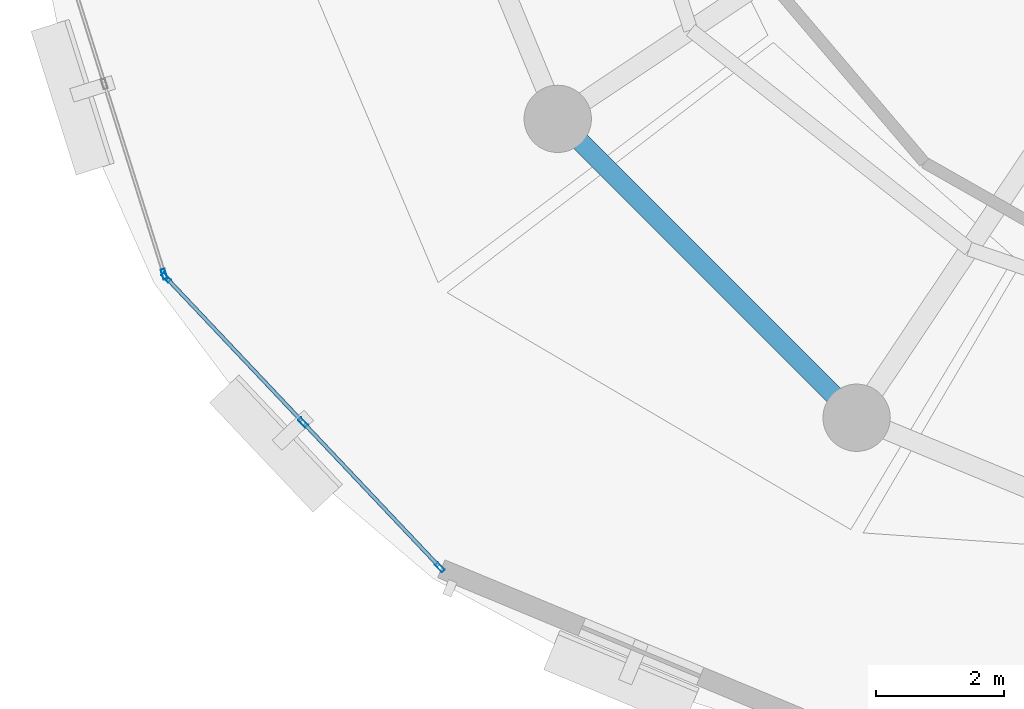
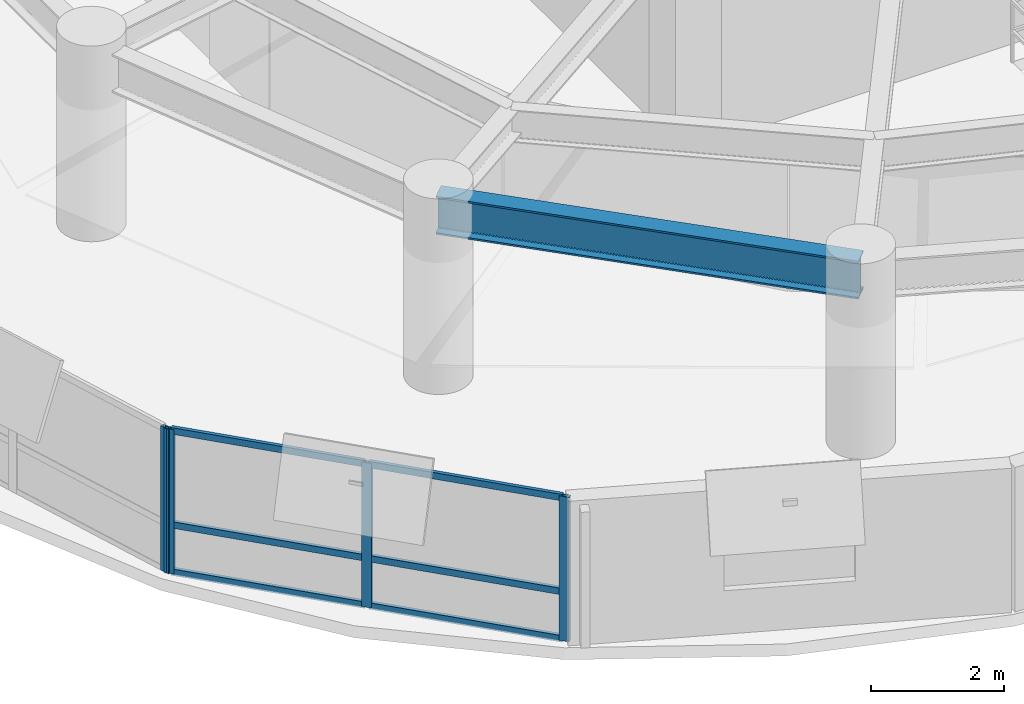
# One storey, part 2 of 14: 10 members, 1 beam, 2 elements without a shape of their own.
"""IFC4 building model written with IfcOpenShell, lengths in metres."""

import ifcopenshell
import ifcopenshell.guid

model = None  # the IFC model being written
_history = None  # IfcOwnerHistory: only IFC2X3 demands one
_inside = {}  # id of a spatial element -> (the spatial element, [elements in it])
_under = {}  # id of a project, library or spatial element -> (it, [spatial elements below it])
_declared = {}  # id of a project -> (the project, [libraries it declares])
_typed = {}  # id of a type object -> (the type object, [elements of that type])
_made_of = {}  # id of a material, layer set ... -> (it, [elements and type objects made of it])


def new_model(schema):
    """Start an empty IFC model of exactly this schema.

    Asked for "IFC4X3", IfcOpenShell would pick the latest addendum, in which some entities
    have other attributes; the version numbers below select the first issue.
    IFC2X3 requires an IfcOwnerHistory on every rooted entity: one is made here for all.
    """
    global model, _history
    if schema == "IFC4X3":
        model = ifcopenshell.file(schema_version=(4, 3, 0, 0))
    else:
        model = ifcopenshell.file(schema=schema)
    _inside.clear()
    _under.clear()
    _declared.clear()
    _typed.clear()
    _made_of.clear()
    _history = None
    if model.schema == "IFC2X3":
        org = make("IfcOrganization", Name="unknown")
        user = make(
            "IfcPersonAndOrganization",
            ThePerson=make("IfcPerson", FamilyName="unknown"),
            TheOrganization=org,
        )
        app = make(
            "IfcApplication",
            ApplicationDeveloper=org,
            Version="unknown",
            ApplicationFullName="unknown",
            ApplicationIdentifier="unknown",
        )
        _history = make(
            "IfcOwnerHistory",
            OwningUser=user,
            OwningApplication=app,
            ChangeAction="ADDED",
            CreationDate=0,
        )
    return model


def make(cls, **values):
    """One entity of the class cls with the attributes given. An attribute that is None is left unset."""
    return model.create_entity(
        cls, **{name: value for name, value in values.items() if value is not None}
    )


def rooted(cls, **values):
    """An entity with a GlobalId (a new one), such as an element, a storey or a relation."""
    return make(cls, GlobalId=ifcopenshell.guid.new(), OwnerHistory=_history, **values)


def si_unit(unit_type, name, prefix=None):
    """IfcSIUnit, for example si_unit("LENGTHUNIT", "METRE", prefix="MILLI")."""
    return make("IfcSIUnit", UnitType=unit_type, Prefix=prefix, Name=name)


def assignment(units):
    """IfcUnitAssignment: the units of a project."""
    return None if units is None else make("IfcUnitAssignment", Units=units)


def point(xyz):
    """IfcCartesianPoint."""
    return None if xyz is None else make("IfcCartesianPoint", Coordinates=xyz)


def direction(xyz):
    """IfcDirection."""
    return None if xyz is None else make("IfcDirection", DirectionRatios=xyz)


def frame(location, z_axis=None, x_axis=None):
    """IfcAxis2Placement3D, a coordinate frame: its origin and axes. An axis left out is left unset."""
    return make(
        "IfcAxis2Placement3D",
        Location=point(location),
        Axis=direction(z_axis),
        RefDirection=direction(x_axis),
    )


def frame_2d(location, x_axis=None):
    """IfcAxis2Placement2D, a coordinate frame in the plane: its origin and x axis."""
    return make(
        "IfcAxis2Placement2D", Location=point(location), RefDirection=direction(x_axis)
    )


def origin():
    """The frame at (0, 0, 0) with its axes left unset."""
    return frame((0.0, 0.0, 0.0))


def origin_2d():
    """The frame at (0, 0) in the plane with its x axis left unset."""
    return frame_2d((0.0, 0.0))


def place(relative_to, where):
    """IfcLocalPlacement: puts the frame where relative to a parent placement (None: the world)."""
    return make(
        "IfcLocalPlacement", PlacementRelTo=relative_to, RelativePlacement=where
    )


def context(
    kind, dimensions, precision=None, world=None, true_north=None, identifier=None
):
    """IfcGeometricRepresentationContext, for example the 3D "Model" context."""
    return make(
        "IfcGeometricRepresentationContext",
        ContextIdentifier=identifier,
        ContextType=kind,
        CoordinateSpaceDimension=dimensions,
        Precision=precision,
        WorldCoordinateSystem=world,
        TrueNorth=true_north,
    )


def subcontext(parent, identifier, kind, view, scale=None):
    """IfcGeometricRepresentationSubContext, for example "Body" below "Model"."""
    return make(
        "IfcGeometricRepresentationSubContext",
        ContextIdentifier=identifier,
        ContextType=kind,
        ParentContext=parent,
        TargetScale=scale,
        TargetView=view,
    )


def project(units=None, contexts=None):
    """IfcProject with its units and contexts."""
    return rooted(
        "IfcProject",
        Name="project",
        RepresentationContexts=contexts,
        UnitsInContext=assignment(units),
    )


def spatial(cls, under=None, at=None, **own):
    """A site, building, storey or space (cls), placed at a placement, below another one or the project."""
    s = rooted(cls, ObjectPlacement=at, **own)
    if under is not None:
        _under.setdefault(under.id(), (under, []))[1].append(s)
    return s


def profile(cls, at=None, kind="AREA", **sizes):
    """A parametric profile (cls). Its sizes go by their IFC names, for example OverallWidth=200.0."""
    return make(cls, ProfileType=kind, Position=at, **sizes)


def hollow_rectangle(**sizes):
    """IfcRectangleHollowProfileDef."""
    return profile("IfcRectangleHollowProfileDef", **sizes)


def i_section(**sizes):
    """IfcIShapeProfileDef."""
    return profile("IfcIShapeProfileDef", **sizes)


def extrude(swept, where, along, depth):
    """IfcExtrudedAreaSolid: the profile swept, set in the frame where, extruded along a direction by depth."""
    return make(
        "IfcExtrudedAreaSolid",
        SweptArea=swept,
        Position=where,
        ExtrudedDirection=direction(along),
        Depth=depth,
    )


def shape(context_of_items, identifier, shape_type, items):
    """IfcShapeRepresentation: the items that make up one representation, for example the "Body"."""
    return make(
        "IfcShapeRepresentation",
        ContextOfItems=context_of_items,
        RepresentationIdentifier=identifier,
        RepresentationType=shape_type,
        Items=items,
    )


def material(Name=None, Category=None):
    """IfcMaterial."""
    return make("IfcMaterial", Name=Name, Category=Category)


def layer(
    of_material, thickness, ventilated=None, Name=None, Category=None, Priority=None
):
    """IfcMaterialLayer: one layer of a wall or slab, of a material (None: an air gap)."""
    return make(
        "IfcMaterialLayer",
        Material=of_material,
        LayerThickness=thickness,
        IsVentilated=ventilated,
        Name=Name,
        Category=Category,
        Priority=Priority,
    )


def layer_set(layers, Name=None):
    """IfcMaterialLayerSet."""
    return make("IfcMaterialLayerSet", MaterialLayers=layers, LayerSetName=Name)


def material_profile(
    of_material, cross_section, Name=None, Category=None, Priority=None
):
    """IfcMaterialProfile: a cross section and its material."""
    return make(
        "IfcMaterialProfile",
        Name=Name,
        Material=of_material,
        Profile=cross_section,
        Priority=Priority,
        Category=Category,
    )


def profile_set(profiles, Name=None, composite=None):
    """IfcMaterialProfileSet."""
    return make(
        "IfcMaterialProfileSet",
        Name=Name,
        MaterialProfiles=profiles,
        CompositeProfile=composite,
    )


def made_of(thing, what):
    """Note that an element or type object is made of a material, layer set ...; save() writes the relation."""
    if what is not None:
        _made_of.setdefault(what.id(), (what, []))[1].append(thing)
    return thing


def type_object(cls, material=None, **own):
    """A type object (cls), such as IfcWallType, which elements share."""
    return made_of(rooted(cls, **own), material)


def element(
    cls,
    number,
    at=None,
    inside=None,
    cuts=None,
    type_object=None,
    material=None,
    context=None,
    identifier="Body",
    shape_type=None,
    held_by="IfcProductDefinitionShape",
    body=None,
    shapes=None,
    **own,
):
    """One element of the class cls, such as IfcWall. Its Tag is "e" and its number.

    at: its placement. inside: the storey or other place that contains it. cuts: it is an
    opening in that element (IfcRelVoidsElement). A single representation is given by context,
    identifier, shape_type and body (its items); several are given by shapes. held_by: the class
    of the entity that holds the representations. save() writes the other relations.
    """
    e = rooted(cls, Tag="e%d" % number, ObjectPlacement=at, **own)
    if body is not None:
        shapes = [shape(context, identifier, shape_type, body)]
    if shapes is not None:
        e.Representation = make(held_by, Representations=shapes)
    if inside is not None:
        _inside.setdefault(inside.id(), (inside, []))[1].append(e)
    if cuts is not None:
        rooted(
            "IfcRelVoidsElement", RelatingBuildingElement=cuts, RelatedOpeningElement=e
        )
    if type_object is not None:
        _typed.setdefault(type_object.id(), (type_object, []))[1].append(e)
    return made_of(e, material)


def aggregate(whole, parts):
    """IfcRelAggregates: a whole, such as a stair, and the parts it consists of."""
    return rooted("IfcRelAggregates", RelatingObject=whole, RelatedObjects=parts)


def save(model, path):
    """Write the relations noted so far, then the file.

    IfcRelAggregates (storeys below a building ...), IfcRelContainedInSpatialStructure (elements
    in a storey), IfcRelDefinesByType, IfcRelAssociatesMaterial and IfcRelDeclares: one each for
    every whole, place, type object, material and project.
    """
    for whole, parts in _under.values():
        aggregate(whole, parts)
    for where, things in _inside.values():
        rooted(
            "IfcRelContainedInSpatialStructure",
            RelatedElements=things,
            RelatingStructure=where,
        )
    for kind, things in _typed.values():
        rooted("IfcRelDefinesByType", RelatedObjects=things, RelatingType=kind)
    for what, things in _made_of.values():
        rooted("IfcRelAssociatesMaterial", RelatedObjects=things, RelatingMaterial=what)
    for by, libraries in _declared.values():
        rooted("IfcRelDeclares", RelatingContext=by, RelatedDefinitions=libraries)
    model.write(path)


model = new_model("IFC4")

# Units and contexts
model_context = context("Model", 3, precision=1e-05, world=origin(), true_north=direction((0.0, 1.0)))
body_context = subcontext(model_context, "Body", "Model", "MODEL_VIEW")
ifc_project = project(units=[si_unit("LENGTHUNIT", "METRE"), si_unit("AREAUNIT", "SQUARE_METRE"), si_unit("VOLUMEUNIT", "CUBIC_METRE"), si_unit("PLANEANGLEUNIT", "RADIAN"), si_unit("MASSUNIT", "GRAM", prefix="KILO"), si_unit("THERMODYNAMICTEMPERATUREUNIT", "KELVIN"), si_unit("POWERUNIT", "WATT")], contexts=[model_context])

# Site, building, storey
site_placement = place(None, origin())
site = spatial("IfcSite", under=ifc_project, at=site_placement, CompositionType="ELEMENT")
building_placement = place(site_placement, origin())
building = spatial("IfcBuilding", under=site, at=building_placement, Name="Ocrelia Relay Tower", CompositionType="ELEMENT")
storey_placement = place(building_placement, frame((0.0, 0.0, 162.800048828125)))
storey = spatial("IfcBuildingStorey", under=building, at=storey_placement, Name="L38", CompositionType="ELEMENT", Elevation=162.800048828125)

# Beam
ifc_material_1 = material(Name="Steel S355", Category="steel")
ifc_material_profile_1 = material_profile(ifc_material_1, i_section(OverallWidth=0.300048828125, OverallDepth=0.699951171875, WebThickness=0.01708984375, FlangeThickness=0.031982421875, FilletRadius=0.027099609375, at=origin_2d()), Name="HEB 700")
ifc_profile_set_1 = profile_set([ifc_material_profile_1], Name="Steel S355")
beam_type = type_object("IfcBeamType", Name="BM-HEB700", PredefinedType="BEAM", material=ifc_profile_set_1)
beam_placement = place(storey_placement, frame((19.9482421875, 16.61083984375, 3.030029296875), z_axis=(0.707106781187, -0.707106781187, 0.0), x_axis=(0.707106781187, 0.707106781187, 0.0)))
element("IfcBeam", 1, at=beam_placement, inside=storey, type_object=beam_type, Name="L38 Perimeter Spandrel Beam S10", PredefinedType="BEAM", context=body_context, shape_type="SweptSolid", body=[
    extrude(i_section(OverallWidth=0.300048828125, OverallDepth=0.699951171875, WebThickness=0.01708984375, FlangeThickness=0.031982421875, FilletRadius=0.027099609375, at=origin_2d()), origin(), (0.0, 0.0, 1.0), 6.593994140625),
])

# Curtain wall, member
ifc_material_2 = material(Name="Aluminium and solar-control low-E glass", Category="aluminium")
ifc_layer = layer(ifc_material_2, 0.179931640625, Name="Aluminium and solar-control low-E glass")
ifc_layer_set = layer_set([ifc_layer], Name="Aluminium and solar-control low-E glass")
curtain_wall_type = type_object("IfcCurtainWallType", Name="CW-SYS-Z3-CLOU", PredefinedType="NOTDEFINED", material=ifc_layer_set)
curtain_wall_1_placement = place(storey_placement, origin())
curtain_wall_1 = element("IfcCurtainWall", 2, at=curtain_wall_1_placement, inside=storey, type_object=curtain_wall_type, Name="L38 Elliptical Tower Curtain Wall Bay 09", PredefinedType="NOTDEFINED")
ifc_material_3 = material(Name="Anodised bronze aluminium", Category="aluminium")
ifc_material_profile_2 = material_profile(ifc_material_3, hollow_rectangle(XDim=0.06494140625, YDim=0.159912109375, WallThickness=0.0048828125, at=origin_2d()), Name="CW-MUL-160x65")
ifc_profile_set_2 = profile_set([ifc_material_profile_2], Name="Anodised bronze aluminium")
member_type_1 = type_object("IfcMemberType", Name="CW-SYS-Z3-CLOU-MUL", PredefinedType="MULLION", material=ifc_profile_set_2)
member_1_placement = place(storey_placement, frame((13.807373046875, 14.189697265625, 0.0), z_axis=(0.0, 0.0, 1.0), x_axis=(0.954135523059, 0.299375021731, 0.0)))
member_1 = element("IfcMember", 3, at=member_1_placement, type_object=member_type_1, Name="CW-Z3 mullion 3", PredefinedType="MULLION", context=body_context, shape_type="SweptSolid", body=[
    extrude(hollow_rectangle(XDim=0.06494140625, YDim=0.159912109375, WallThickness=0.0048828125, at=origin_2d()), origin(), (0.0, 0.0, 1.0), 2.659912109375),
])
aggregate(curtain_wall_1, [member_1])

# Curtain wall, members
curtain_wall_2_placement = place(storey_placement, origin())
curtain_wall_2 = element("IfcCurtainWall", 4, at=curtain_wall_2_placement, inside=storey, type_object=curtain_wall_type, Name="L38 Elliptical Tower Curtain Wall Bay 10", PredefinedType="NOTDEFINED")
member_2_placement = place(storey_placement, frame((13.839599609375, 14.13525390625, 0.0), z_axis=(0.0, 0.0, 1.0), x_axis=(0.726807863727, 0.686840832526, 0.0)))
member_2 = element("IfcMember", 5, at=member_2_placement, type_object=member_type_1, Name="CW-Z3 mullion 1", PredefinedType="MULLION", context=body_context, shape_type="SweptSolid", body=[
    extrude(hollow_rectangle(XDim=0.06494140625, YDim=0.159912109375, WallThickness=0.0048828125, at=origin_2d()), origin(), (0.0, 0.0, 1.0), 2.659912109375),
])
member_3_placement = place(storey_placement, frame((15.974853515625, 11.875732421875, 0.0), z_axis=(0.0, 0.0, 1.0), x_axis=(0.726807863727, 0.686840832526, 0.0)))
member_3 = element("IfcMember", 6, at=member_3_placement, type_object=member_type_1, Name="CW-Z3 mullion 2", PredefinedType="MULLION", context=body_context, shape_type="SweptSolid", body=[
    extrude(hollow_rectangle(XDim=0.06494140625, YDim=0.159912109375, WallThickness=0.0048828125, at=origin_2d()), origin(), (0.0, 0.0, 1.0), 2.659912109375),
])
member_4_placement = place(storey_placement, frame((18.110107421875, 9.6162109375, 0.0), z_axis=(0.0, 0.0, 1.0), x_axis=(0.726807863727, 0.686840832526, 0.0)))
member_4 = element("IfcMember", 7, at=member_4_placement, type_object=member_type_1, Name="CW-Z3 mullion 3", PredefinedType="MULLION", context=body_context, shape_type="SweptSolid", body=[
    extrude(hollow_rectangle(XDim=0.06494140625, YDim=0.159912109375, WallThickness=0.0048828125, at=origin_2d()), origin(), (0.0, 0.0, 1.0), 2.659912109375),
])
ifc_material_profile_3 = material_profile(ifc_material_3, hollow_rectangle(XDim=0.06005859375, YDim=0.1201171875, WallThickness=0.0048828125, at=origin_2d()), Name="CW-TRN-120x60")
ifc_profile_set_3 = profile_set([ifc_material_profile_3], Name="Anodised bronze aluminium")
member_type_2 = type_object("IfcMemberType", Name="CW-SYS-Z3-CLOU-TRN", PredefinedType="USERDEFINED", material=ifc_profile_set_3)
member_5_placement = place(storey_placement, frame((13.86181640625, 14.111572265625, 0.030029296875), z_axis=(0.686811924222, -0.72683518128, 0.0), x_axis=(0.72683518128, 0.686811924222, 0.0)))
member_5 = element("IfcMember", 8, at=member_5_placement, type_object=member_type_2, Name="CW-Z3 transom 1.1", ObjectType="TRANSOM", PredefinedType="USERDEFINED", context=body_context, shape_type="SweptSolid", body=[
    extrude(hollow_rectangle(XDim=0.06005859375, YDim=0.1201171875, WallThickness=0.0048828125, at=origin_2d()), origin(), (0.0, 0.0, 1.0), 3.0439453125),
])
member_6_placement = place(storey_placement, frame((13.86181640625, 14.111572265625, 0.89990234375), z_axis=(0.686811924222, -0.72683518128, 0.0), x_axis=(0.72683518128, 0.686811924222, 0.0)))
member_6 = element("IfcMember", 9, at=member_6_placement, type_object=member_type_2, Name="CW-Z3 transom 1.2", ObjectType="TRANSOM", PredefinedType="USERDEFINED", context=body_context, shape_type="SweptSolid", body=[
    extrude(hollow_rectangle(XDim=0.06005859375, YDim=0.1201171875, WallThickness=0.0048828125, at=origin_2d()), origin(), (0.0, 0.0, 1.0), 3.0439453125),
])
member_7_placement = place(storey_placement, frame((13.86181640625, 14.111572265625, 2.6298828125), z_axis=(0.686811924222, -0.72683518128, 0.0), x_axis=(0.72683518128, 0.686811924222, 0.0)))
member_7 = element("IfcMember", 10, at=member_7_placement, type_object=member_type_2, Name="CW-Z3 transom 1.3", ObjectType="TRANSOM", PredefinedType="USERDEFINED", context=body_context, shape_type="SweptSolid", body=[
    extrude(hollow_rectangle(XDim=0.06005859375, YDim=0.1201171875, WallThickness=0.0048828125, at=origin_2d()), origin(), (0.0, 0.0, 1.0), 3.0439453125),
])
member_8_placement = place(storey_placement, frame((15.9970703125, 11.85205078125, 0.030029296875), z_axis=(0.686811924222, -0.72683518128, 0.0), x_axis=(0.72683518128, 0.686811924222, 0.0)))
member_8 = element("IfcMember", 11, at=member_8_placement, type_object=member_type_2, Name="CW-Z3 transom 2.1", ObjectType="TRANSOM", PredefinedType="USERDEFINED", context=body_context, shape_type="SweptSolid", body=[
    extrude(hollow_rectangle(XDim=0.06005859375, YDim=0.1201171875, WallThickness=0.0048828125, at=origin_2d()), origin(), (0.0, 0.0, 1.0), 3.0439453125),
])
member_9_placement = place(storey_placement, frame((15.9970703125, 11.85205078125, 0.89990234375), z_axis=(0.686811924222, -0.72683518128, 0.0), x_axis=(0.72683518128, 0.686811924222, 0.0)))
member_9 = element("IfcMember", 12, at=member_9_placement, type_object=member_type_2, Name="CW-Z3 transom 2.2", ObjectType="TRANSOM", PredefinedType="USERDEFINED", context=body_context, shape_type="SweptSolid", body=[
    extrude(hollow_rectangle(XDim=0.06005859375, YDim=0.1201171875, WallThickness=0.0048828125, at=origin_2d()), origin(), (0.0, 0.0, 1.0), 3.0439453125),
])
member_10_placement = place(storey_placement, frame((15.9970703125, 11.85205078125, 2.6298828125), z_axis=(0.686811924222, -0.72683518128, 0.0), x_axis=(0.72683518128, 0.686811924222, 0.0)))
member_10 = element("IfcMember", 13, at=member_10_placement, type_object=member_type_2, Name="CW-Z3 transom 2.3", ObjectType="TRANSOM", PredefinedType="USERDEFINED", context=body_context, shape_type="SweptSolid", body=[
    extrude(hollow_rectangle(XDim=0.06005859375, YDim=0.1201171875, WallThickness=0.0048828125, at=origin_2d()), origin(), (0.0, 0.0, 1.0), 3.0439453125),
])
aggregate(curtain_wall_2, [member_2, member_3, member_4, member_5, member_6, member_7, member_8, member_9, member_10])

save(model, "model.ifc")
